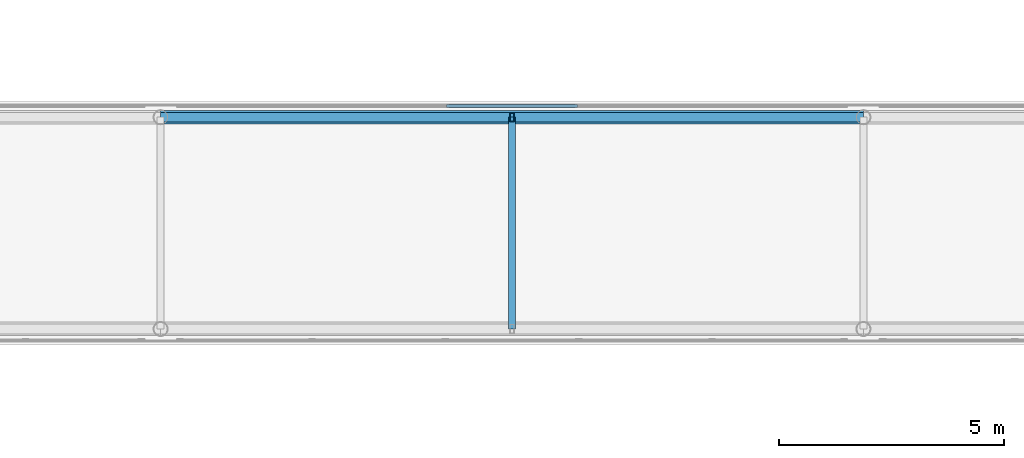
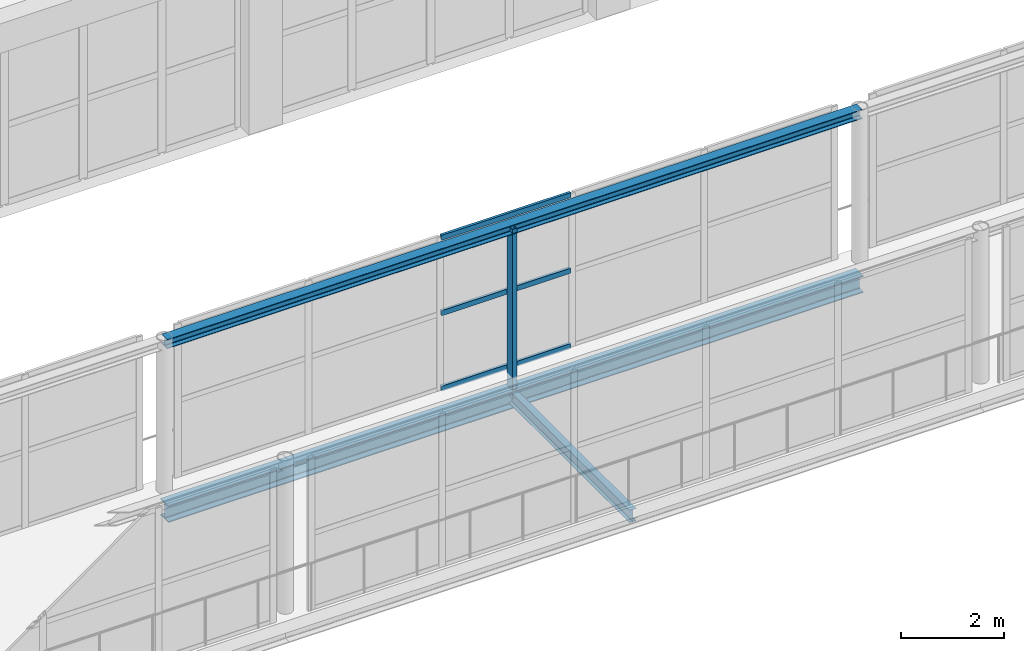
# One storey, part 74 of 167: 5 members, 2 beams, 1 element without a shape of its own.
"""IFC4 building model written with IfcOpenShell, lengths in metres."""

import ifcopenshell
import ifcopenshell.guid

model = None  # the IFC model being written
_history = None  # IfcOwnerHistory: only IFC2X3 demands one
_inside = {}  # id of a spatial element -> (the spatial element, [elements in it])
_under = {}  # id of a project, library or spatial element -> (it, [spatial elements below it])
_declared = {}  # id of a project -> (the project, [libraries it declares])
_typed = {}  # id of a type object -> (the type object, [elements of that type])
_made_of = {}  # id of a material, layer set ... -> (it, [elements and type objects made of it])


def new_model(schema):
    """Start an empty IFC model of exactly this schema.

    Asked for "IFC4X3", IfcOpenShell would pick the latest addendum, in which some entities
    have other attributes; the version numbers below select the first issue.
    IFC2X3 requires an IfcOwnerHistory on every rooted entity: one is made here for all.
    """
    global model, _history
    if schema == "IFC4X3":
        model = ifcopenshell.file(schema_version=(4, 3, 0, 0))
    else:
        model = ifcopenshell.file(schema=schema)
    _inside.clear()
    _under.clear()
    _declared.clear()
    _typed.clear()
    _made_of.clear()
    _history = None
    if model.schema == "IFC2X3":
        org = make("IfcOrganization", Name="unknown")
        user = make(
            "IfcPersonAndOrganization",
            ThePerson=make("IfcPerson", FamilyName="unknown"),
            TheOrganization=org,
        )
        app = make(
            "IfcApplication",
            ApplicationDeveloper=org,
            Version="unknown",
            ApplicationFullName="unknown",
            ApplicationIdentifier="unknown",
        )
        _history = make(
            "IfcOwnerHistory",
            OwningUser=user,
            OwningApplication=app,
            ChangeAction="ADDED",
            CreationDate=0,
        )
    return model


def make(cls, **values):
    """One entity of the class cls with the attributes given. An attribute that is None is left unset."""
    return model.create_entity(
        cls, **{name: value for name, value in values.items() if value is not None}
    )


def rooted(cls, **values):
    """An entity with a GlobalId (a new one), such as an element, a storey or a relation."""
    return make(cls, GlobalId=ifcopenshell.guid.new(), OwnerHistory=_history, **values)


def si_unit(unit_type, name, prefix=None):
    """IfcSIUnit, for example si_unit("LENGTHUNIT", "METRE", prefix="MILLI")."""
    return make("IfcSIUnit", UnitType=unit_type, Prefix=prefix, Name=name)


def assignment(units):
    """IfcUnitAssignment: the units of a project."""
    return None if units is None else make("IfcUnitAssignment", Units=units)


def point(xyz):
    """IfcCartesianPoint."""
    return None if xyz is None else make("IfcCartesianPoint", Coordinates=xyz)


def direction(xyz):
    """IfcDirection."""
    return None if xyz is None else make("IfcDirection", DirectionRatios=xyz)


def frame(location, z_axis=None, x_axis=None):
    """IfcAxis2Placement3D, a coordinate frame: its origin and axes. An axis left out is left unset."""
    return make(
        "IfcAxis2Placement3D",
        Location=point(location),
        Axis=direction(z_axis),
        RefDirection=direction(x_axis),
    )


def frame_2d(location, x_axis=None):
    """IfcAxis2Placement2D, a coordinate frame in the plane: its origin and x axis."""
    return make(
        "IfcAxis2Placement2D", Location=point(location), RefDirection=direction(x_axis)
    )


def origin():
    """The frame at (0, 0, 0) with its axes left unset."""
    return frame((0.0, 0.0, 0.0))


def origin_2d():
    """The frame at (0, 0) in the plane with its x axis left unset."""
    return frame_2d((0.0, 0.0))


def place(relative_to, where):
    """IfcLocalPlacement: puts the frame where relative to a parent placement (None: the world)."""
    return make(
        "IfcLocalPlacement", PlacementRelTo=relative_to, RelativePlacement=where
    )


def context(
    kind, dimensions, precision=None, world=None, true_north=None, identifier=None
):
    """IfcGeometricRepresentationContext, for example the 3D "Model" context."""
    return make(
        "IfcGeometricRepresentationContext",
        ContextIdentifier=identifier,
        ContextType=kind,
        CoordinateSpaceDimension=dimensions,
        Precision=precision,
        WorldCoordinateSystem=world,
        TrueNorth=true_north,
    )


def subcontext(parent, identifier, kind, view, scale=None):
    """IfcGeometricRepresentationSubContext, for example "Body" below "Model"."""
    return make(
        "IfcGeometricRepresentationSubContext",
        ContextIdentifier=identifier,
        ContextType=kind,
        ParentContext=parent,
        TargetScale=scale,
        TargetView=view,
    )


def project(units=None, contexts=None):
    """IfcProject with its units and contexts."""
    return rooted(
        "IfcProject",
        Name="project",
        RepresentationContexts=contexts,
        UnitsInContext=assignment(units),
    )


def spatial(cls, under=None, at=None, **own):
    """A site, building, storey or space (cls), placed at a placement, below another one or the project."""
    s = rooted(cls, ObjectPlacement=at, **own)
    if under is not None:
        _under.setdefault(under.id(), (under, []))[1].append(s)
    return s


def profile(cls, at=None, kind="AREA", **sizes):
    """A parametric profile (cls). Its sizes go by their IFC names, for example OverallWidth=200.0."""
    return make(cls, ProfileType=kind, Position=at, **sizes)


def hollow_rectangle(**sizes):
    """IfcRectangleHollowProfileDef."""
    return profile("IfcRectangleHollowProfileDef", **sizes)


def i_section(**sizes):
    """IfcIShapeProfileDef."""
    return profile("IfcIShapeProfileDef", **sizes)


def extrude(swept, where, along, depth):
    """IfcExtrudedAreaSolid: the profile swept, set in the frame where, extruded along a direction by depth."""
    return make(
        "IfcExtrudedAreaSolid",
        SweptArea=swept,
        Position=where,
        ExtrudedDirection=direction(along),
        Depth=depth,
    )


def shape(context_of_items, identifier, shape_type, items):
    """IfcShapeRepresentation: the items that make up one representation, for example the "Body"."""
    return make(
        "IfcShapeRepresentation",
        ContextOfItems=context_of_items,
        RepresentationIdentifier=identifier,
        RepresentationType=shape_type,
        Items=items,
    )


def material(Name=None, Category=None):
    """IfcMaterial."""
    return make("IfcMaterial", Name=Name, Category=Category)


def layer(
    of_material, thickness, ventilated=None, Name=None, Category=None, Priority=None
):
    """IfcMaterialLayer: one layer of a wall or slab, of a material (None: an air gap)."""
    return make(
        "IfcMaterialLayer",
        Material=of_material,
        LayerThickness=thickness,
        IsVentilated=ventilated,
        Name=Name,
        Category=Category,
        Priority=Priority,
    )


def layer_set(layers, Name=None):
    """IfcMaterialLayerSet."""
    return make("IfcMaterialLayerSet", MaterialLayers=layers, LayerSetName=Name)


def material_profile(
    of_material, cross_section, Name=None, Category=None, Priority=None
):
    """IfcMaterialProfile: a cross section and its material."""
    return make(
        "IfcMaterialProfile",
        Name=Name,
        Material=of_material,
        Profile=cross_section,
        Priority=Priority,
        Category=Category,
    )


def profile_set(profiles, Name=None, composite=None):
    """IfcMaterialProfileSet."""
    return make(
        "IfcMaterialProfileSet",
        Name=Name,
        MaterialProfiles=profiles,
        CompositeProfile=composite,
    )


def made_of(thing, what):
    """Note that an element or type object is made of a material, layer set ...; save() writes the relation."""
    if what is not None:
        _made_of.setdefault(what.id(), (what, []))[1].append(thing)
    return thing


def type_object(cls, material=None, **own):
    """A type object (cls), such as IfcWallType, which elements share."""
    return made_of(rooted(cls, **own), material)


def element(
    cls,
    number,
    at=None,
    inside=None,
    cuts=None,
    type_object=None,
    material=None,
    context=None,
    identifier="Body",
    shape_type=None,
    held_by="IfcProductDefinitionShape",
    body=None,
    shapes=None,
    **own,
):
    """One element of the class cls, such as IfcWall. Its Tag is "e" and its number.

    at: its placement. inside: the storey or other place that contains it. cuts: it is an
    opening in that element (IfcRelVoidsElement). A single representation is given by context,
    identifier, shape_type and body (its items); several are given by shapes. held_by: the class
    of the entity that holds the representations. save() writes the other relations.
    """
    e = rooted(cls, Tag="e%d" % number, ObjectPlacement=at, **own)
    if body is not None:
        shapes = [shape(context, identifier, shape_type, body)]
    if shapes is not None:
        e.Representation = make(held_by, Representations=shapes)
    if inside is not None:
        _inside.setdefault(inside.id(), (inside, []))[1].append(e)
    if cuts is not None:
        rooted(
            "IfcRelVoidsElement", RelatingBuildingElement=cuts, RelatedOpeningElement=e
        )
    if type_object is not None:
        _typed.setdefault(type_object.id(), (type_object, []))[1].append(e)
    return made_of(e, material)


def aggregate(whole, parts):
    """IfcRelAggregates: a whole, such as a stair, and the parts it consists of."""
    return rooted("IfcRelAggregates", RelatingObject=whole, RelatedObjects=parts)


def save(model, path):
    """Write the relations noted so far, then the file.

    IfcRelAggregates (storeys below a building ...), IfcRelContainedInSpatialStructure (elements
    in a storey), IfcRelDefinesByType, IfcRelAssociatesMaterial and IfcRelDeclares: one each for
    every whole, place, type object, material and project.
    """
    for whole, parts in _under.values():
        aggregate(whole, parts)
    for where, things in _inside.values():
        rooted(
            "IfcRelContainedInSpatialStructure",
            RelatedElements=things,
            RelatingStructure=where,
        )
    for kind, things in _typed.values():
        rooted("IfcRelDefinesByType", RelatedObjects=things, RelatingType=kind)
    for what, things in _made_of.values():
        rooted("IfcRelAssociatesMaterial", RelatedObjects=things, RelatingMaterial=what)
    for by, libraries in _declared.values():
        rooted("IfcRelDeclares", RelatingContext=by, RelatedDefinitions=libraries)
    model.write(path)


model = new_model("IFC4")

# Units and contexts
model_context = context("Model", 3, precision=1e-05, world=origin(), true_north=direction((0.0, 1.0)))
body_context = subcontext(model_context, "Body", "Model", "MODEL_VIEW")
ifc_project = project(units=[si_unit("LENGTHUNIT", "METRE"), si_unit("AREAUNIT", "SQUARE_METRE"), si_unit("VOLUMEUNIT", "CUBIC_METRE"), si_unit("PLANEANGLEUNIT", "RADIAN"), si_unit("MASSUNIT", "GRAM", prefix="KILO")], contexts=[model_context])

# Site, building, storey
site_placement = place(None, origin())
site = spatial("IfcSite", under=ifc_project, at=site_placement, CompositionType="ELEMENT")
building_placement = place(site_placement, origin())
building = spatial("IfcBuilding", under=site, at=building_placement, Name="Zizhar Promenade General Hospital", CompositionType="ELEMENT")
storey_placement = place(building_placement, frame((0.0, 0.0, 9.60009765625)))
storey = spatial("IfcBuildingStorey", under=building, at=storey_placement, Name="L02", CompositionType="ELEMENT", Elevation=9.60009765625)

# Beams
ifc_material_1 = material(Name="Steel S355", Category="steel")
ifc_material_profile_1 = material_profile(ifc_material_1, i_section(OverallWidth=0.300048828125, OverallDepth=0.39990234375, WebThickness=0.013427734375, FlangeThickness=0.02392578125, FilletRadius=0.027099609375, at=origin_2d()))
ifc_profile_set_1 = profile_set([ifc_material_profile_1], Name="Steel S355")
beam_type_1 = type_object("IfcBeamType", Name="BM-STL-HEB400", PredefinedType="BEAM", material=ifc_profile_set_1)
beam_1_placement = place(storey_placement, frame((85.800048828125, 82.449951171875, -0.5), z_axis=(1.0, 0.0, 0.0), x_axis=(0.0, 1.0, 0.0)))
element("IfcBeam", 1, at=beam_1_placement, inside=storey, type_object=beam_type_1, Name="SB-2 Bottom Chord 2N", PredefinedType="BEAM", context=body_context, shape_type="SweptSolid", body=[
    extrude(i_section(OverallWidth=0.300048828125, OverallDepth=0.39990234375, WebThickness=0.013427734375, FlangeThickness=0.02392578125, FilletRadius=0.027099609375, at=origin_2d()), origin(), (0.0, 0.0, 1.0), 15.599853515625),
])
ifc_material_2 = material(Name="Steel S355", Category="steel")
ifc_material_profile_2 = material_profile(ifc_material_2, i_section(OverallWidth=0.14990234375, OverallDepth=0.300048828125, WebThickness=0.007080078125, FlangeThickness=0.0107421875, FilletRadius=0.014892578125, at=origin_2d()))
ifc_profile_set_2 = profile_set([ifc_material_profile_2], Name="Steel S355")
beam_type_2 = type_object("IfcBeamType", Name="BM-STL-IPE300", PredefinedType="JOIST", material=ifc_profile_set_2)
beam_2_placement = place(storey_placement, frame((93.60009765625, 77.75, -0.5), z_axis=(0.0, 1.0, 0.0), x_axis=(-1.0, 0.0, 0.0)))
element("IfcBeam", 2, at=beam_2_placement, inside=storey, type_object=beam_type_2, Name="SB-2 Transverse Deck Beam 93.6", PredefinedType="JOIST", context=body_context, shape_type="SweptSolid", body=[
    extrude(i_section(OverallWidth=0.14990234375, OverallDepth=0.300048828125, WebThickness=0.007080078125, FlangeThickness=0.0107421875, FilletRadius=0.014892578125, at=origin_2d()), origin(), (0.0, 0.0, 1.0), 4.699951171875),
])

# Curtain wall, members
ifc_material_3 = material(Name="Anodised aluminium 6063-T6 and low-E glass", Category="aluminium")
ifc_layer = layer(ifc_material_3, 0.159912109375)
ifc_layer_set = layer_set([ifc_layer], Name="Anodised aluminium 6063-T6 and low-E glass")
curtain_wall_type = type_object("IfcCurtainWallType", Name="CW-SKY-GLZ", PredefinedType="NOTDEFINED", material=ifc_layer_set)
curtain_wall_placement = place(storey_placement, origin())
curtain_wall = element("IfcCurtainWall", 3, at=curtain_wall_placement, inside=storey, type_object=curtain_wall_type, Name="Courtyard Surgical-Clinic Skybridge Level L02 North Glazing 2", PredefinedType="NOTDEFINED")
ifc_material_4 = material(Name="Anodised aluminium 6063-T6", Category="aluminium")
ifc_material_profile_3 = material_profile(ifc_material_4, hollow_rectangle(XDim=0.06005859375, YDim=0.1201171875, WallThickness=0.00390625, at=origin_2d()))
ifc_profile_set_3 = profile_set([ifc_material_profile_3], Name="Anodised aluminium 6063-T6")
member_type_1 = type_object("IfcMemberType", Name="CWT-ALU-120x60", PredefinedType="USERDEFINED", material=ifc_profile_set_3)
member_1_placement = place(storey_placement, frame((92.14990234375, 82.699951171875, 0.02978515625), z_axis=(1.0, 0.0, 0.0), x_axis=(0.0, 1.0, 0.0)))
member_1 = element("IfcMember", 4, at=member_1_placement, type_object=member_type_1, Name="CW-15 transom 3.1", ObjectType="TRANSOM", PredefinedType="USERDEFINED", context=body_context, shape_type="SweptSolid", body=[
    extrude(hollow_rectangle(XDim=0.06005859375, YDim=0.1201171875, WallThickness=0.00390625, at=origin_2d()), origin(), (0.0, 0.0, 1.0), 2.900146484375),
])
member_2_placement = place(storey_placement, frame((92.14990234375, 82.699951171875, 1.81982421875), z_axis=(1.0, 0.0, 0.0), x_axis=(0.0, 1.0, 0.0)))
member_2 = element("IfcMember", 5, at=member_2_placement, type_object=member_type_1, Name="CW-15 transom 3.2", ObjectType="TRANSOM", PredefinedType="USERDEFINED", context=body_context, shape_type="SweptSolid", body=[
    extrude(hollow_rectangle(XDim=0.06005859375, YDim=0.1201171875, WallThickness=0.00390625, at=origin_2d()), origin(), (0.0, 0.0, 1.0), 2.900146484375),
])
member_3_placement = place(storey_placement, frame((92.14990234375, 82.699951171875, 3.60986328125), z_axis=(1.0, 0.0, 0.0), x_axis=(0.0, 1.0, 0.0)))
member_3 = element("IfcMember", 6, at=member_3_placement, type_object=member_type_1, Name="CW-15 transom 3.3", ObjectType="TRANSOM", PredefinedType="USERDEFINED", context=body_context, shape_type="SweptSolid", body=[
    extrude(hollow_rectangle(XDim=0.06005859375, YDim=0.1201171875, WallThickness=0.00390625, at=origin_2d()), origin(), (0.0, 0.0, 1.0), 2.900146484375),
])
aggregate(curtain_wall, [member_1, member_2, member_3])

# Members
ifc_material_5 = material(Name="Steel S355", Category="steel")
ifc_material_profile_4 = material_profile(ifc_material_5, i_section(OverallWidth=0.219970703125, OverallDepth=0.219970703125, WebThickness=0.009521484375, FlangeThickness=0.01611328125, FilletRadius=0.01806640625, at=origin_2d()))
ifc_profile_set_4 = profile_set([ifc_material_profile_4], Name="Steel S355")
member_type_2 = type_object("IfcMemberType", Name="MEM-CHORD-HEB220", PredefinedType="CHORD", material=ifc_profile_set_4)
member_4_placement = place(storey_placement, frame((85.800048828125, 82.449951171875, 3.510009765625), z_axis=(1.0, 0.0, 0.0), x_axis=(0.0, 1.0, 0.0)))
element("IfcMember", 7, at=member_4_placement, inside=storey, type_object=member_type_2, Name="SB-2 Top Chord 2N", PredefinedType="CHORD", context=body_context, shape_type="SweptSolid", body=[
    extrude(i_section(OverallWidth=0.219970703125, OverallDepth=0.219970703125, WebThickness=0.009521484375, FlangeThickness=0.01611328125, FilletRadius=0.01806640625, at=origin_2d()), origin(), (0.0, 0.0, 1.0), 15.599853515625),
])
ifc_material_6 = material(Name="Steel S355", Category="steel")
ifc_material_profile_5 = material_profile(ifc_material_6, hollow_rectangle(XDim=0.10009765625, YDim=0.199951171875, WallThickness=0.008056640625, at=origin_2d()))
ifc_profile_set_5 = profile_set([ifc_material_profile_5], Name="Steel S355")
member_type_3 = type_object("IfcMemberType", Name="MEM-STRUT-RHS200", PredefinedType="STRUT", material=ifc_profile_set_5)
member_5_placement = place(storey_placement, frame((93.60009765625, 82.449951171875, -0.5), z_axis=(0.0, 0.0, 1.0), x_axis=(1.0, 0.0, 0.0)))
element("IfcMember", 8, at=member_5_placement, inside=storey, type_object=member_type_3, Name="SB-2 Vierendeel Post 2N", PredefinedType="STRUT", context=body_context, shape_type="SweptSolid", body=[
    extrude(hollow_rectangle(XDim=0.10009765625, YDim=0.199951171875, WallThickness=0.008056640625, at=origin_2d()), origin(), (0.0, 0.0, 1.0), 4.010009765625),
])

save(model, "model.ifc")
